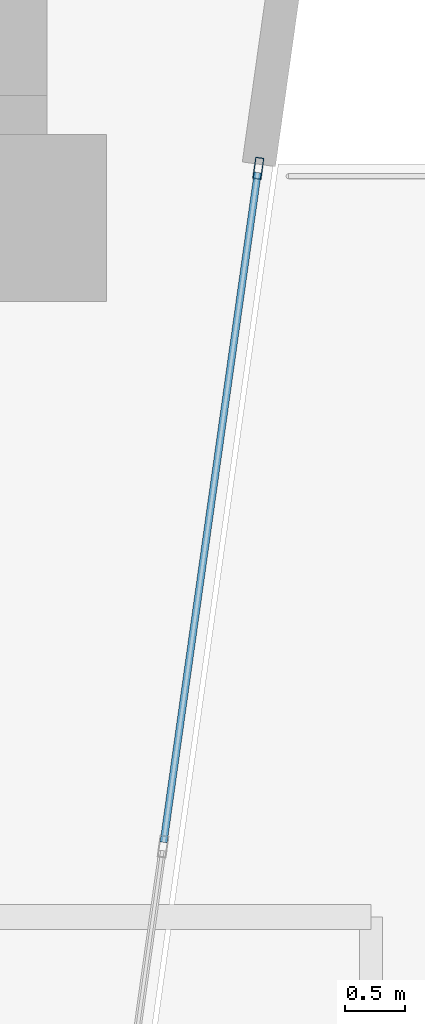
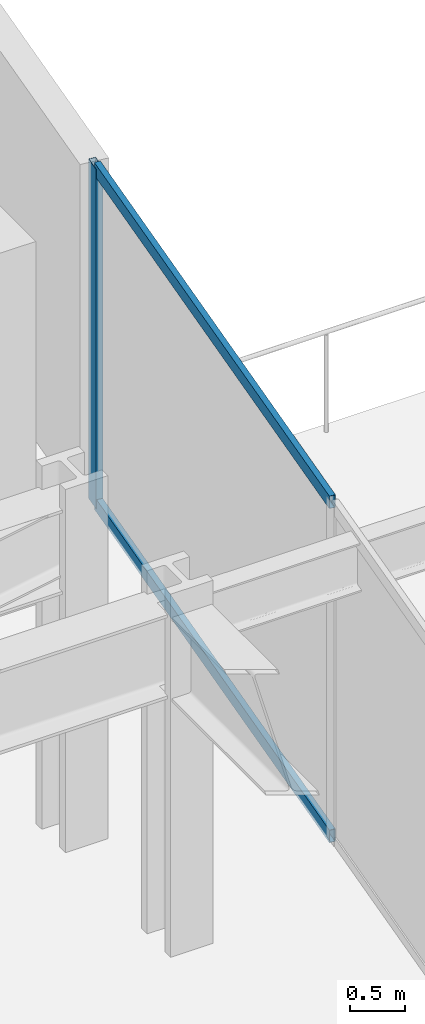
# One storey, part 16 of 25: 3 members, 1 element without a shape of its own.
"""IFC4 building model written with IfcOpenShell, lengths in metres."""

from ifc_helpers import new_model, si_unit, direction, frame, origin, origin_2d, place, context, subcontext, project, spatial, hollow_rectangle, extrude, material, layer, layer_set, material_profile, profile_set, type_object, element, aggregate, save


model = new_model("IFC4")

# Units and contexts
model_context = context("Model", 3, precision=1e-05, world=origin(), true_north=direction((0.0, 1.0)))
body_context = subcontext(model_context, "Body", "Model", "MODEL_VIEW")
ifc_project = project(units=[si_unit("LENGTHUNIT", "METRE"), si_unit("AREAUNIT", "SQUARE_METRE"), si_unit("VOLUMEUNIT", "CUBIC_METRE"), si_unit("PLANEANGLEUNIT", "RADIAN"), si_unit("MASSUNIT", "GRAM", prefix="KILO")], contexts=[model_context])

# Site, building, storey
site_placement = place(None, origin())
site = spatial("IfcSite", under=ifc_project, at=site_placement, CompositionType="ELEMENT")
building_placement = place(site_placement, origin())
building = spatial("IfcBuilding", under=site, at=building_placement, Name="Kravanh Interchange Tower", CompositionType="ELEMENT")
storey_placement = place(building_placement, frame((0.0, 0.0, 29.5)))
storey = spatial("IfcBuildingStorey", under=building, at=storey_placement, Name="L06", CompositionType="ELEMENT", Elevation=29.5)

# Curtain wall, members
ifc_material_1 = material(Name="Anodised Bronze Aluminium", Category="aluminium")
ifc_layer = layer(ifc_material_1, 0.179931640625)
ifc_layer_set = layer_set([ifc_layer], Name="Unitised Curtain Wall System CW-Z1 Lower Office")
curtain_wall_type = type_object("IfcCurtainWallType", Name="Unitised Curtain Wall System CW-Z1 Lower Office", PredefinedType="NOTDEFINED", material=ifc_layer_set)
curtain_wall_placement = place(storey_placement, origin())
curtain_wall = element("IfcCurtainWall", 1, at=curtain_wall_placement, inside=storey, type_object=curtain_wall_type, Name="L06 Unitised Curtain Wall CW-L06-01", PredefinedType="NOTDEFINED")
ifc_material_2 = material(Name="Anodised Bronze Aluminium", Category="aluminium")
ifc_material_profile_1 = material_profile(ifc_material_2, hollow_rectangle(XDim=0.070068359375, YDim=0.179931640625, WallThickness=0.00390625, at=origin_2d()), Name="ALU70X180X4")
ifc_profile_set_1 = profile_set([ifc_material_profile_1], Name="Anodised Bronze Aluminium")
member_type_1 = type_object("IfcMemberType", Name="Curtain Wall Mullion ALU70X180X4 Bronze", PredefinedType="MULLION", material=ifc_profile_set_1)
member_1_placement = place(storey_placement, frame((68.3701171875, 37.765380859375, 0.0), z_axis=(0.0, 0.0, 1.0), x_axis=(0.990267585682, -0.139176538065, 0.0)))
member_1 = element("IfcMember", 2, at=member_1_placement, type_object=member_type_1, Name="CW-Z1 mullion 1", PredefinedType="MULLION", context=body_context, shape_type="SweptSolid", body=[
    extrude(hollow_rectangle(XDim=0.070068359375, YDim=0.179931640625, WallThickness=0.00390625, at=origin_2d()), origin(), (0.0, 0.0, 1.0), 3.739990234375),
])
ifc_material_3 = material(Name="Anodised Bronze Aluminium", Category="aluminium")
ifc_material_profile_2 = material_profile(ifc_material_3, hollow_rectangle(XDim=0.06005859375, YDim=0.139892578125, WallThickness=0.00390625, at=origin_2d()), Name="ALU60X140X4")
ifc_profile_set_2 = profile_set([ifc_material_profile_2], Name="Anodised Bronze Aluminium")
member_type_2 = type_object("IfcMemberType", Name="Curtain Wall Transom ALU60X140X4 Bronze", PredefinedType="USERDEFINED", material=ifc_profile_set_2)
member_2_placement = place(storey_placement, frame((68.365478515625, 37.730712890625, 0.030029296875), z_axis=(-0.139193386559, -0.990265217575, 0.0), x_axis=(0.990265217575, -0.139193386559, 0.0)))
member_2 = element("IfcMember", 3, at=member_2_placement, type_object=member_type_2, Name="CW-Z1 transom 1.1", ObjectType="TRANSOM", PredefinedType="USERDEFINED", context=body_context, shape_type="SweptSolid", body=[
    extrude(hollow_rectangle(XDim=0.06005859375, YDim=0.139892578125, WallThickness=0.00390625, at=origin_2d()), origin(), (0.0, 0.0, 1.0), 5.661865234375),
])
member_3_placement = place(storey_placement, frame((68.365478515625, 37.730712890625, 3.7099609375), z_axis=(-0.139193386559, -0.990265217575, 0.0), x_axis=(0.990265217575, -0.139193386559, 0.0)))
member_3 = element("IfcMember", 4, at=member_3_placement, type_object=member_type_2, Name="CW-Z1 transom 1.2", ObjectType="TRANSOM", PredefinedType="USERDEFINED", context=body_context, shape_type="SweptSolid", body=[
    extrude(hollow_rectangle(XDim=0.06005859375, YDim=0.139892578125, WallThickness=0.00390625, at=origin_2d()), origin(), (0.0, 0.0, 1.0), 5.661865234375),
])
aggregate(curtain_wall, [member_1, member_2, member_3])

save(model, "model.ifc")
